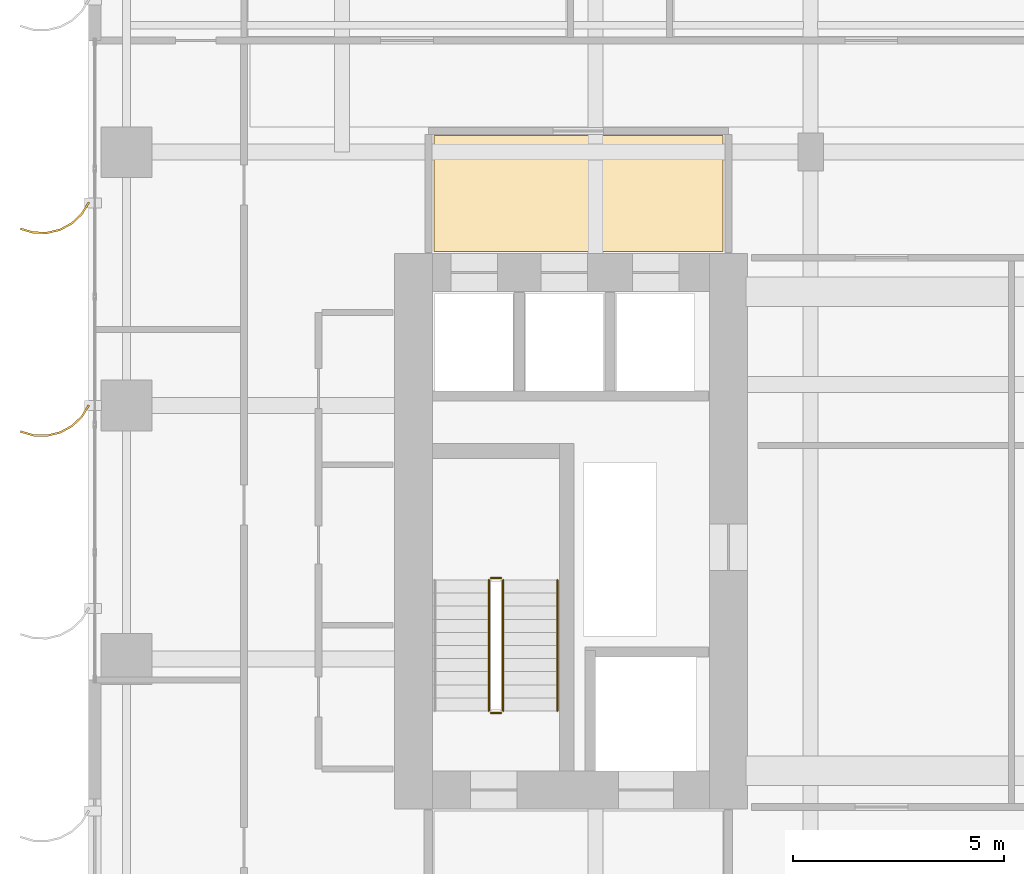
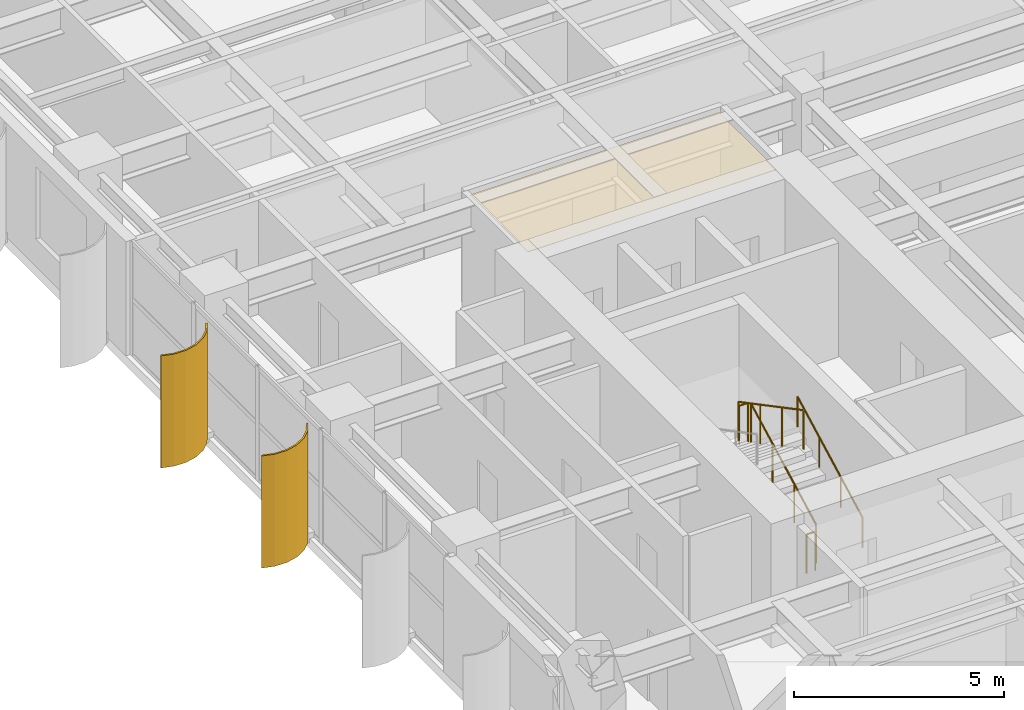
# One storey, part 24 of 26: 5 railings, 2 shading devices, 1 covering.
"""IFC4 building model written with IfcOpenShell, lengths in metres."""

from ifc_helpers import new_model, si_unit, direction, frame, origin, origin_2d, place, context, subcontext, project, spatial, polyline, circle, outline, extrude, source, transform, mapped, material, layer, layer_set, type_object, element, save


model = new_model("IFC4")

# Units and contexts
model_context = context("Model", 3, precision=1e-05, world=origin(), true_north=direction((0.0, 1.0)))
body_context = subcontext(model_context, "Body", "Model", "MODEL_VIEW")
ifc_project = project(units=[si_unit("LENGTHUNIT", "METRE"), si_unit("AREAUNIT", "SQUARE_METRE"), si_unit("VOLUMEUNIT", "CUBIC_METRE"), si_unit("PLANEANGLEUNIT", "RADIAN"), si_unit("MASSUNIT", "GRAM", prefix="KILO")], contexts=[model_context])

# Site, building, storey
site_placement = place(None, origin())
site = spatial("IfcSite", under=ifc_project, at=site_placement, CompositionType="ELEMENT")
building_placement = place(site_placement, origin())
building = spatial("IfcBuilding", under=site, at=building_placement, Name="Khoralis Quay Care Tower", CompositionType="ELEMENT")
storey_placement = place(building_placement, frame((0.0, 0.0, 26.10009765625)))
storey = spatial("IfcBuildingStorey", under=building, at=storey_placement, Name="L06", CompositionType="ELEMENT", Elevation=26.10009765625)

# Covering
ifc_material_1 = material(Name="Mineral-fibre acoustic ceiling tile")
ifc_layer_1 = layer(ifc_material_1, 0.01806640625)
ifc_layer_set_1 = layer_set([ifc_layer_1], Name="Mineral-fibre acoustic ceiling tile")
covering_type = type_object("IfcCoveringType", Name="COV-CEIL-AC18", PredefinedType="CEILING", material=ifc_layer_set_1)
covering_placement = place(storey_placement, frame((0.0, 0.0, 3.171875)))
element("IfcCovering", 1, at=covering_placement, inside=storey, type_object=covering_type, Name="Suspended Acoustic Ceiling SP-L06-LLOB-W", PredefinedType="CEILING", context=body_context, shape_type="SweptSolid", body=[
    extrude(outline(polyline([(8.179931640625, 27.64990234375), (15.02001953125, 27.64990234375), (15.02001953125, 30.389892578125), (8.179931640625, 30.389892578125), (8.179931640625, 27.64990234375)])), origin(), (0.0, 0.0, 1.0), 0.01806640625),
])

# Railings
ifc_material_2 = material(Name="Brushed stainless steel", Category="steel")
railing_type_1 = type_object("IfcRailingType", Name="RL-GUARD-1150", PredefinedType="GUARDRAIL", material=ifc_material_2)
railing_1_placement = place(storey_placement, frame((9.820068359375, 16.77001953125, 0.16357421875)))
element("IfcRailing", 2, at=railing_1_placement, inside=storey, type_object=railing_type_1, Name="L06 ST-T1 stair guard 1", PredefinedType="GUARDRAIL", context=body_context, shape_type="SweptSolid", body=[
    extrude(circle(Radius=0.02392578125, at=origin_2d()), frame((0.0, 0.0, 1.1259765625), z_axis=(0.0, 0.884376766648, 0.46677375099), x_axis=(-1.0, 0.0, 0.0)), (0.0, 0.0, 1.0), 3.50537109375),
    extrude(circle(Radius=0.02099609375, at=origin_2d()), origin(), (0.0, 0.0, 1.0), 1.101806640625),
    extrude(circle(Radius=0.02099609375, at=origin_2d()), frame((0.0, 1.033447265625, 0.54541015625)), (0.0, 0.0, 1.0), 1.101806640625),
    extrude(circle(Radius=0.02099609375, at=origin_2d()), frame((0.0, 2.066650390625, 1.0908203125)), (0.0, 0.0, 1.0), 1.101806640625),
    extrude(circle(Radius=0.02099609375, at=origin_2d()), frame((0.0, 3.10009765625, 1.63623046875)), (0.0, 0.0, 1.0), 1.101806640625),
])
railing_2_placement = place(storey_placement, frame((9.77001953125, 19.919921875, 1.7998046875)))
element("IfcRailing", 3, at=railing_2_placement, inside=storey, type_object=railing_type_1, Name="L06 ST-T1 stair guard 2", PredefinedType="GUARDRAIL", context=body_context, shape_type="SweptSolid", body=[
    extrude(circle(Radius=0.02392578125, at=origin_2d()), frame((0.0, 0.0, 1.1259765625), z_axis=(-1.0, 0.0, 0.0), x_axis=(0.0, -1.0, 0.0)), (0.0, 0.0, 1.0), 0.239990234375),
    extrude(circle(Radius=0.02099609375, at=origin_2d()), origin(), (0.0, 0.0, 1.0), 1.101806640625),
    extrude(circle(Radius=0.02099609375, at=origin_2d()), frame((-0.239990234375, 0.0, 0.0)), (0.0, 0.0, 1.0), 1.101806640625),
])
railing_3_placement = place(storey_placement, frame((9.47998046875, 19.8701171875, 1.963623046875)))
element("IfcRailing", 4, at=railing_3_placement, inside=storey, type_object=railing_type_1, Name="L06 ST-T1 stair guard 3", PredefinedType="GUARDRAIL", context=body_context, shape_type="SweptSolid", body=[
    extrude(circle(Radius=0.02392578125, at=origin_2d()), frame((0.0, 0.0, 1.1259765625), z_axis=(0.0, -0.884376766648, 0.46677375099), x_axis=(1.0, 0.0, 0.0)), (0.0, 0.0, 1.0), 3.50537109375),
    extrude(circle(Radius=0.02099609375, at=origin_2d()), origin(), (0.0, 0.0, 1.0), 1.101806640625),
    extrude(circle(Radius=0.02099609375, at=origin_2d()), frame((0.0, -1.033447265625, 0.54541015625)), (0.0, 0.0, 1.0), 1.101806640625),
    extrude(circle(Radius=0.02099609375, at=origin_2d()), frame((0.0, -2.066650390625, 1.0908203125)), (0.0, 0.0, 1.0), 1.101806640625),
    extrude(circle(Radius=0.02099609375, at=origin_2d()), frame((0.0, -3.10009765625, 1.63623046875)), (0.0, 0.0, 1.0), 1.101806640625),
])
railing_4_placement = place(storey_placement, frame((9.77001953125, 16.719970703125, 0.0)))
element("IfcRailing", 5, at=railing_4_placement, inside=storey, type_object=railing_type_1, Name="L06 ST-T1 stair guard 4", PredefinedType="GUARDRAIL", context=body_context, shape_type="SweptSolid", body=[
    extrude(circle(Radius=0.02392578125, at=origin_2d()), frame((0.0, 0.0, 1.1259765625), z_axis=(-1.0, 0.0, 0.0), x_axis=(0.0, -1.0, 0.0)), (0.0, 0.0, 1.0), 0.239990234375),
    extrude(circle(Radius=0.02099609375, at=origin_2d()), origin(), (0.0, 0.0, 1.0), 1.101806640625),
    extrude(circle(Radius=0.02099609375, at=origin_2d()), frame((-0.239990234375, 0.0, 0.0)), (0.0, 0.0, 1.0), 1.101806640625),
])
railing_type_2 = type_object("IfcRailingType", Name="RL-HAND-900", PredefinedType="HANDRAIL", material=ifc_material_2)
railing_5_placement = place(storey_placement, frame((11.10009765625, 16.77001953125, 0.16357421875)))
element("IfcRailing", 6, at=railing_5_placement, inside=storey, type_object=railing_type_2, Name="L06 ST-T1 stair handrail 1", PredefinedType="HANDRAIL", context=body_context, shape_type="SweptSolid", body=[
    extrude(circle(Radius=0.02392578125, at=origin_2d()), frame((0.0, 0.0, 0.8759765625), z_axis=(0.0, 0.884376766648, 0.46677375099), x_axis=(-1.0, 0.0, 0.0)), (0.0, 0.0, 1.0), 3.50537109375),
    extrude(circle(Radius=0.02099609375, at=origin_2d()), origin(), (0.0, 0.0, 1.0), 0.851806640625),
    extrude(circle(Radius=0.02099609375, at=origin_2d()), frame((0.0, 1.033447265625, 0.54541015625)), (0.0, 0.0, 1.0), 0.851806640625),
    extrude(circle(Radius=0.02099609375, at=origin_2d()), frame((0.0, 2.066650390625, 1.0908203125)), (0.0, 0.0, 1.0), 0.851806640625),
    extrude(circle(Radius=0.02099609375, at=origin_2d()), frame((0.0, 3.10009765625, 1.63623046875)), (0.0, 0.0, 1.0), 0.851806640625),
])

# Shading devices
ifc_material_3 = material(Name="Brushed pale anodised aluminium", Category="aluminium")
ifc_layer_2 = layer(ifc_material_3, 0.044921875)
ifc_layer_set_2 = layer_set([ifc_layer_2], Name="Brushed pale anodised aluminium")
shading_device_type = type_object("IfcShadingDeviceType", Name="SHD-FIN-1250", PredefinedType="USERDEFINED", material=ifc_layer_set_2)
shared_shape = source(origin(), body_context, "Body", "SweptSolid", [
    extrude(outline(polyline([(0.0, 0.0), (0.17041015625, 0.2783203125), (0.4072265625, 0.5029296875), (0.694091796875, 0.658447265625), (1.01123046875, 0.734619140625), (1.33740234375, 0.72607421875), (1.650390625, 0.633544921875), (1.632080078125, 0.59228515625), (1.330322265625, 0.681640625), (1.015869140625, 0.68994140625), (0.710205078125, 0.616455078125), (0.43359375, 0.466552734375), (0.20556640625, 0.25), (0.041015625, -0.018310546875), (0.0, 0.0)])), origin(), (0.0, 0.0, 1.0), 3.259765625),
])
for number, where, z_axis, x_axis, name in (
    (7, (0.030029296875, 28.800048828125, 0.02001953125), (0.0, 0.0, 1.0), (-1.0, 0.0, 0.0), "L06 Curved Solar Fin P1E15-03"),
    (8, (0.030029296875, 24.0, 0.02001953125), (0.0, 0.0, 1.0), (-1.0, 0.0, 0.0), "L06 Curved Solar Fin P1E15-04"),
):
    element("IfcShadingDevice", number, at=place(storey_placement, frame(where, z_axis=z_axis, x_axis=x_axis)), inside=storey, type_object=shading_device_type, Name=name, ObjectType="FIN", PredefinedType="USERDEFINED", context=body_context, shape_type="MappedRepresentation", body=[
        mapped(shared_shape, transform((0.0, 0.0, 0.0), scale=1.0)),
    ])

save(model, "model.ifc")
